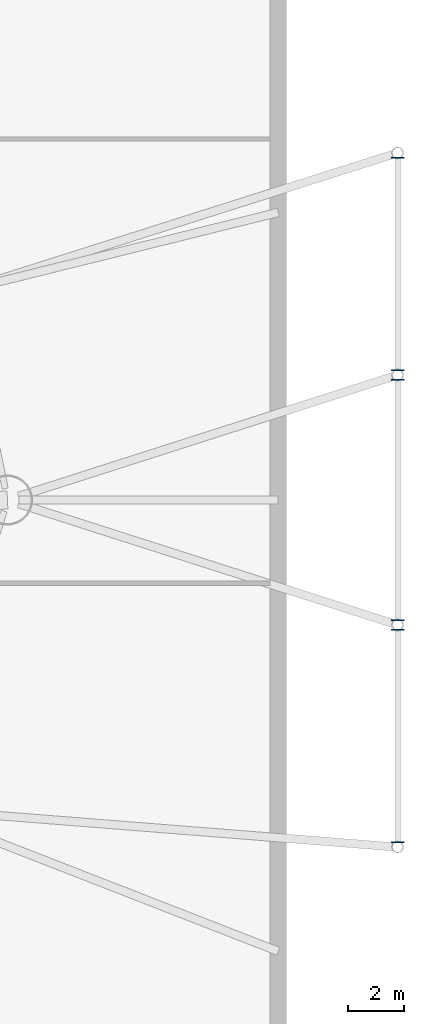
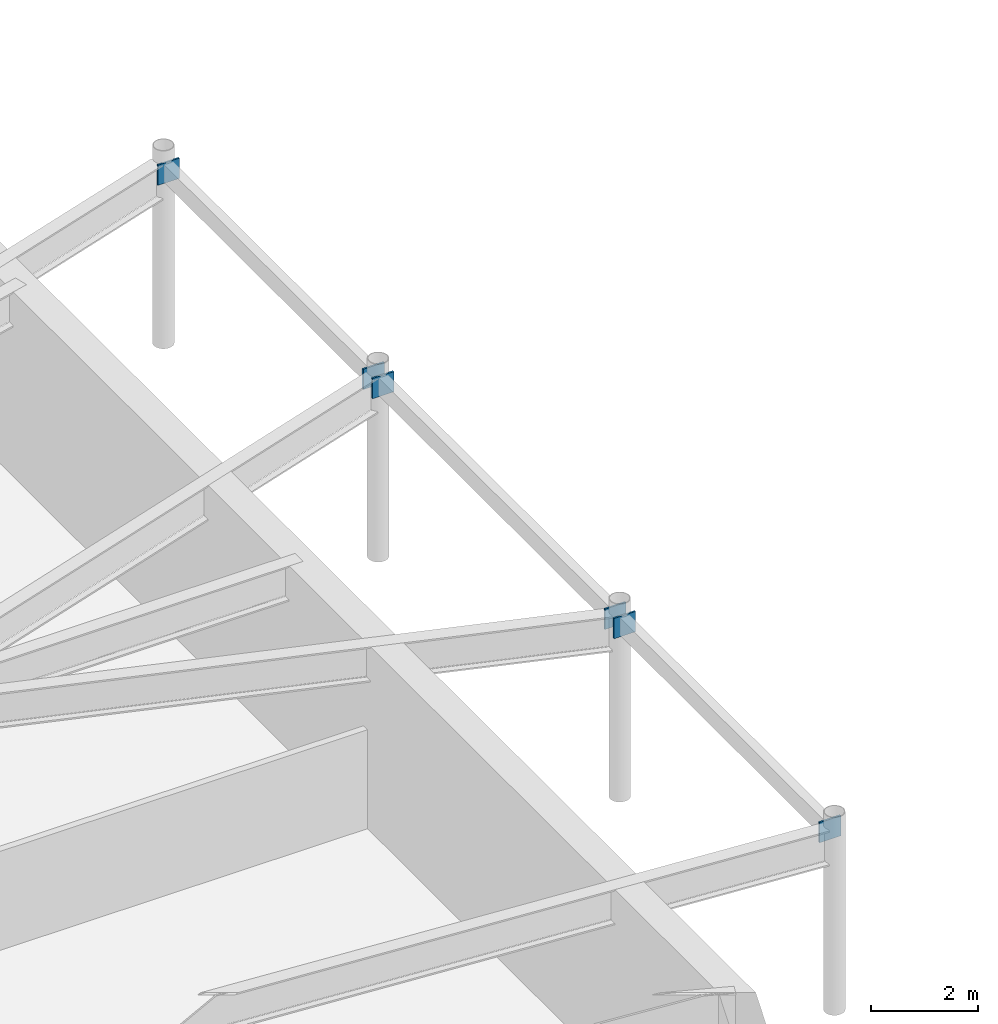
# One storey, part 7 of 21: 6 plates.
"""IFC4 building model written with IfcOpenShell, lengths in metres."""

from ifc_helpers import new_model, si_unit, direction, frame, origin, origin_2d, place, context, subcontext, project, spatial, rectangle, extrude, source, transform, mapped, material, layer, layer_set, type_object, element, save


model = new_model("IFC4")

# Units and contexts
model_context = context("Model", 3, precision=1e-05, world=origin(), true_north=direction((0.0, 1.0)))
body_context = subcontext(model_context, "Body", "Model", "MODEL_VIEW")
ifc_project = project(units=[si_unit("LENGTHUNIT", "METRE"), si_unit("AREAUNIT", "SQUARE_METRE"), si_unit("VOLUMEUNIT", "CUBIC_METRE"), si_unit("PLANEANGLEUNIT", "RADIAN"), si_unit("MASSUNIT", "GRAM", prefix="KILO")], contexts=[model_context])

# Site, building, storey
site_placement = place(None, origin())
site = spatial("IfcSite", under=ifc_project, at=site_placement, CompositionType="ELEMENT")
building_placement = place(site_placement, origin())
building = spatial("IfcBuilding", under=site, at=building_placement, Name="Linh Dai School and Residence Tower", CompositionType="ELEMENT")
storey_placement = place(building_placement, frame((0.0, 0.0, -4.5)))
storey = spatial("IfcBuildingStorey", under=building, at=storey_placement, Name="B01", CompositionType="ELEMENT", Elevation=-4.5)

# Plates
ifc_material = material(Name="Structural Steel S355JR", Category="steel")
ifc_layer = layer(ifc_material, 0.0400390625)
ifc_layer_set = layer_set([ifc_layer], Name="Structural Steel S355JR")
plate_type = type_object("IfcPlateType", Name="PLT-GP1", PredefinedType="USERDEFINED", material=ifc_layer_set)
shared_shape = source(origin(), body_context, "Body", "SweptSolid", [
    extrude(rectangle(XDim=0.4599609375, YDim=0.0400390625, at=origin_2d()), origin(), (0.0, 0.0, 1.0), 0.4599609375),
])
for number, where, z_axis, x_axis, name in (
    (1, (82.0, 14.673095703125, 3.77001953125), (0.0, 0.0, 1.0), (1.0, 0.0, 0.0), "B01 Canopy Beam End Plate 1A"),
    (2, (82.0, 22.326904296875, 3.77001953125), (0.0, 0.0, 1.0), (1.0, 0.0, 0.0), "B01 Canopy Beam End Plate 1B"),
    (3, (82.0, 22.673095703125, 3.77001953125), (0.0, 0.0, 1.0), (1.0, 0.0, 0.0), "B01 Canopy Beam End Plate 2A"),
    (4, (82.0, 31.326904296875, 3.77001953125), (0.0, 0.0, 1.0), (1.0, 0.0, 0.0), "B01 Canopy Beam End Plate 2B"),
    (5, (82.0, 31.673095703125, 3.77001953125), (0.0, 0.0, 1.0), (1.0, 0.0, 0.0), "B01 Canopy Beam End Plate 3A"),
    (6, (82.0, 39.326904296875, 3.77001953125), (0.0, 0.0, 1.0), (1.0, 0.0, 0.0), "B01 Canopy Beam End Plate 3B"),
):
    element("IfcPlate", number, at=place(storey_placement, frame(where, z_axis=z_axis, x_axis=x_axis)), inside=storey, type_object=plate_type, Name=name, ObjectType="GUSSET PLATE", PredefinedType="USERDEFINED", context=body_context, shape_type="MappedRepresentation", body=[
        mapped(shared_shape, transform((0.0, 0.0, 0.0), x_axis=(1.0, 0.0, 0.0), y_axis=(0.0, 1.0, 0.0), z_axis=(0.0, 0.0, 1.0), scale=1.0)),
    ])

save(model, "model.ifc")
